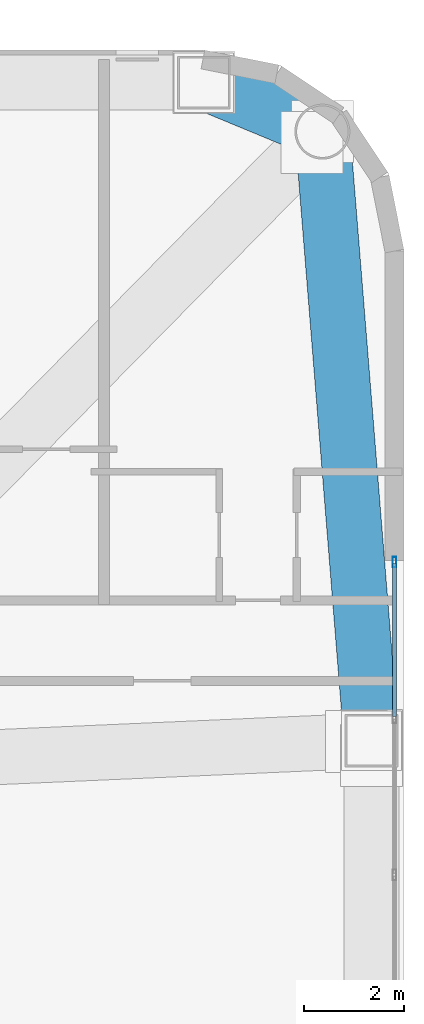
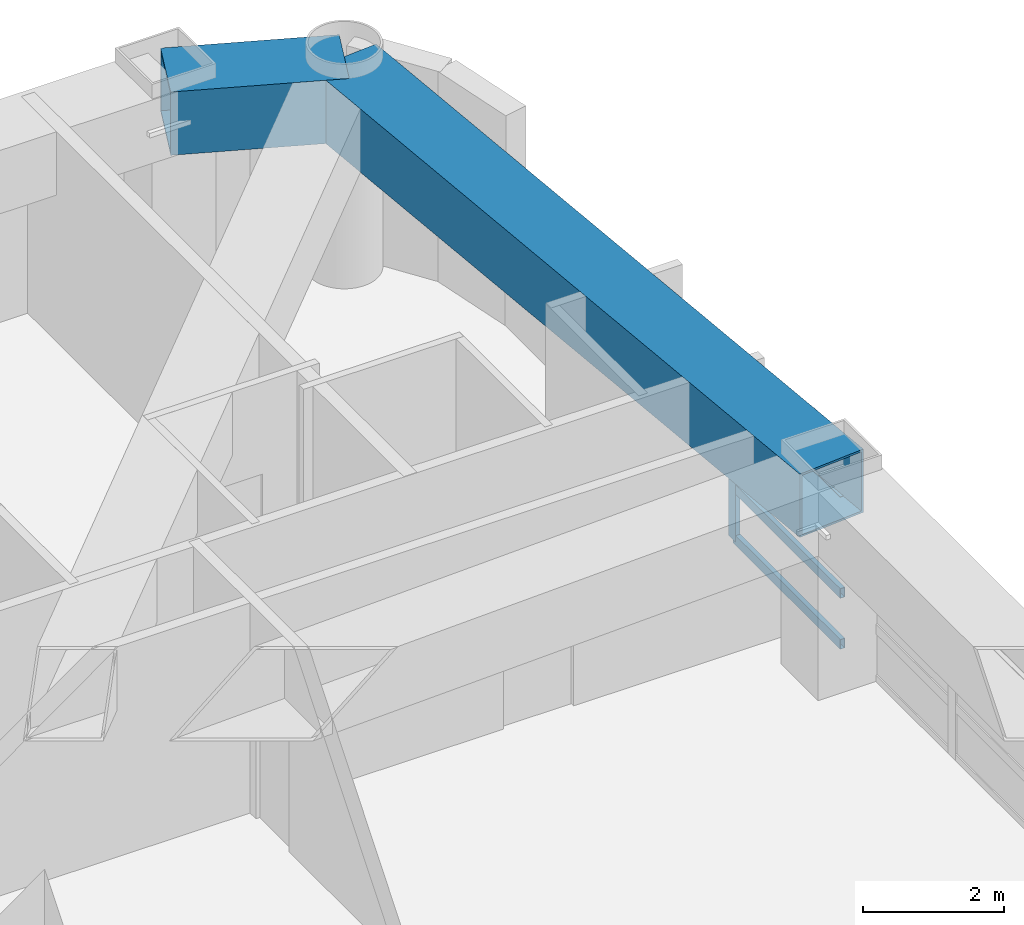
# One storey, part 4 of 18: 4 members, 2 beams, 1 element without a shape of its own.
"""IFC4 building model written with IfcOpenShell, lengths in metres."""

import ifcopenshell
import ifcopenshell.guid

model = None  # the IFC model being written
_history = None  # IfcOwnerHistory: only IFC2X3 demands one
_inside = {}  # id of a spatial element -> (the spatial element, [elements in it])
_under = {}  # id of a project, library or spatial element -> (it, [spatial elements below it])
_declared = {}  # id of a project -> (the project, [libraries it declares])
_typed = {}  # id of a type object -> (the type object, [elements of that type])
_made_of = {}  # id of a material, layer set ... -> (it, [elements and type objects made of it])


def new_model(schema):
    """Start an empty IFC model of exactly this schema.

    Asked for "IFC4X3", IfcOpenShell would pick the latest addendum, in which some entities
    have other attributes; the version numbers below select the first issue.
    IFC2X3 requires an IfcOwnerHistory on every rooted entity: one is made here for all.
    """
    global model, _history
    if schema == "IFC4X3":
        model = ifcopenshell.file(schema_version=(4, 3, 0, 0))
    else:
        model = ifcopenshell.file(schema=schema)
    _inside.clear()
    _under.clear()
    _declared.clear()
    _typed.clear()
    _made_of.clear()
    _history = None
    if model.schema == "IFC2X3":
        org = make("IfcOrganization", Name="unknown")
        user = make(
            "IfcPersonAndOrganization",
            ThePerson=make("IfcPerson", FamilyName="unknown"),
            TheOrganization=org,
        )
        app = make(
            "IfcApplication",
            ApplicationDeveloper=org,
            Version="unknown",
            ApplicationFullName="unknown",
            ApplicationIdentifier="unknown",
        )
        _history = make(
            "IfcOwnerHistory",
            OwningUser=user,
            OwningApplication=app,
            ChangeAction="ADDED",
            CreationDate=0,
        )
    return model


def make(cls, **values):
    """One entity of the class cls with the attributes given. An attribute that is None is left unset."""
    return model.create_entity(
        cls, **{name: value for name, value in values.items() if value is not None}
    )


def rooted(cls, **values):
    """An entity with a GlobalId (a new one), such as an element, a storey or a relation."""
    return make(cls, GlobalId=ifcopenshell.guid.new(), OwnerHistory=_history, **values)


def si_unit(unit_type, name, prefix=None):
    """IfcSIUnit, for example si_unit("LENGTHUNIT", "METRE", prefix="MILLI")."""
    return make("IfcSIUnit", UnitType=unit_type, Prefix=prefix, Name=name)


def assignment(units):
    """IfcUnitAssignment: the units of a project."""
    return None if units is None else make("IfcUnitAssignment", Units=units)


def point(xyz):
    """IfcCartesianPoint."""
    return None if xyz is None else make("IfcCartesianPoint", Coordinates=xyz)


def direction(xyz):
    """IfcDirection."""
    return None if xyz is None else make("IfcDirection", DirectionRatios=xyz)


def frame(location, z_axis=None, x_axis=None):
    """IfcAxis2Placement3D, a coordinate frame: its origin and axes. An axis left out is left unset."""
    return make(
        "IfcAxis2Placement3D",
        Location=point(location),
        Axis=direction(z_axis),
        RefDirection=direction(x_axis),
    )


def frame_2d(location, x_axis=None):
    """IfcAxis2Placement2D, a coordinate frame in the plane: its origin and x axis."""
    return make(
        "IfcAxis2Placement2D", Location=point(location), RefDirection=direction(x_axis)
    )


def origin():
    """The frame at (0, 0, 0) with its axes left unset."""
    return frame((0.0, 0.0, 0.0))


def origin_2d():
    """The frame at (0, 0) in the plane with its x axis left unset."""
    return frame_2d((0.0, 0.0))


def place(relative_to, where):
    """IfcLocalPlacement: puts the frame where relative to a parent placement (None: the world)."""
    return make(
        "IfcLocalPlacement", PlacementRelTo=relative_to, RelativePlacement=where
    )


def context(
    kind, dimensions, precision=None, world=None, true_north=None, identifier=None
):
    """IfcGeometricRepresentationContext, for example the 3D "Model" context."""
    return make(
        "IfcGeometricRepresentationContext",
        ContextIdentifier=identifier,
        ContextType=kind,
        CoordinateSpaceDimension=dimensions,
        Precision=precision,
        WorldCoordinateSystem=world,
        TrueNorth=true_north,
    )


def subcontext(parent, identifier, kind, view, scale=None):
    """IfcGeometricRepresentationSubContext, for example "Body" below "Model"."""
    return make(
        "IfcGeometricRepresentationSubContext",
        ContextIdentifier=identifier,
        ContextType=kind,
        ParentContext=parent,
        TargetScale=scale,
        TargetView=view,
    )


def project(units=None, contexts=None):
    """IfcProject with its units and contexts."""
    return rooted(
        "IfcProject",
        Name="project",
        RepresentationContexts=contexts,
        UnitsInContext=assignment(units),
    )


def spatial(cls, under=None, at=None, **own):
    """A site, building, storey or space (cls), placed at a placement, below another one or the project."""
    s = rooted(cls, ObjectPlacement=at, **own)
    if under is not None:
        _under.setdefault(under.id(), (under, []))[1].append(s)
    return s


def profile(cls, at=None, kind="AREA", **sizes):
    """A parametric profile (cls). Its sizes go by their IFC names, for example OverallWidth=200.0."""
    return make(cls, ProfileType=kind, Position=at, **sizes)


def hollow_rectangle(**sizes):
    """IfcRectangleHollowProfileDef."""
    return profile("IfcRectangleHollowProfileDef", **sizes)


def extrude(swept, where, along, depth):
    """IfcExtrudedAreaSolid: the profile swept, set in the frame where, extruded along a direction by depth."""
    return make(
        "IfcExtrudedAreaSolid",
        SweptArea=swept,
        Position=where,
        ExtrudedDirection=direction(along),
        Depth=depth,
    )


def shape(context_of_items, identifier, shape_type, items):
    """IfcShapeRepresentation: the items that make up one representation, for example the "Body"."""
    return make(
        "IfcShapeRepresentation",
        ContextOfItems=context_of_items,
        RepresentationIdentifier=identifier,
        RepresentationType=shape_type,
        Items=items,
    )


def material(Name=None, Category=None):
    """IfcMaterial."""
    return make("IfcMaterial", Name=Name, Category=Category)


def layer(
    of_material, thickness, ventilated=None, Name=None, Category=None, Priority=None
):
    """IfcMaterialLayer: one layer of a wall or slab, of a material (None: an air gap)."""
    return make(
        "IfcMaterialLayer",
        Material=of_material,
        LayerThickness=thickness,
        IsVentilated=ventilated,
        Name=Name,
        Category=Category,
        Priority=Priority,
    )


def layer_set(layers, Name=None):
    """IfcMaterialLayerSet."""
    return make("IfcMaterialLayerSet", MaterialLayers=layers, LayerSetName=Name)


def material_profile(
    of_material, cross_section, Name=None, Category=None, Priority=None
):
    """IfcMaterialProfile: a cross section and its material."""
    return make(
        "IfcMaterialProfile",
        Name=Name,
        Material=of_material,
        Profile=cross_section,
        Priority=Priority,
        Category=Category,
    )


def profile_set(profiles, Name=None, composite=None):
    """IfcMaterialProfileSet."""
    return make(
        "IfcMaterialProfileSet",
        Name=Name,
        MaterialProfiles=profiles,
        CompositeProfile=composite,
    )


def made_of(thing, what):
    """Note that an element or type object is made of a material, layer set ...; save() writes the relation."""
    if what is not None:
        _made_of.setdefault(what.id(), (what, []))[1].append(thing)
    return thing


def type_object(cls, material=None, **own):
    """A type object (cls), such as IfcWallType, which elements share."""
    return made_of(rooted(cls, **own), material)


def element(
    cls,
    number,
    at=None,
    inside=None,
    cuts=None,
    type_object=None,
    material=None,
    context=None,
    identifier="Body",
    shape_type=None,
    held_by="IfcProductDefinitionShape",
    body=None,
    shapes=None,
    **own,
):
    """One element of the class cls, such as IfcWall. Its Tag is "e" and its number.

    at: its placement. inside: the storey or other place that contains it. cuts: it is an
    opening in that element (IfcRelVoidsElement). A single representation is given by context,
    identifier, shape_type and body (its items); several are given by shapes. held_by: the class
    of the entity that holds the representations. save() writes the other relations.
    """
    e = rooted(cls, Tag="e%d" % number, ObjectPlacement=at, **own)
    if body is not None:
        shapes = [shape(context, identifier, shape_type, body)]
    if shapes is not None:
        e.Representation = make(held_by, Representations=shapes)
    if inside is not None:
        _inside.setdefault(inside.id(), (inside, []))[1].append(e)
    if cuts is not None:
        rooted(
            "IfcRelVoidsElement", RelatingBuildingElement=cuts, RelatedOpeningElement=e
        )
    if type_object is not None:
        _typed.setdefault(type_object.id(), (type_object, []))[1].append(e)
    return made_of(e, material)


def aggregate(whole, parts):
    """IfcRelAggregates: a whole, such as a stair, and the parts it consists of."""
    return rooted("IfcRelAggregates", RelatingObject=whole, RelatedObjects=parts)


def save(model, path):
    """Write the relations noted so far, then the file.

    IfcRelAggregates (storeys below a building ...), IfcRelContainedInSpatialStructure (elements
    in a storey), IfcRelDefinesByType, IfcRelAssociatesMaterial and IfcRelDeclares: one each for
    every whole, place, type object, material and project.
    """
    for whole, parts in _under.values():
        aggregate(whole, parts)
    for where, things in _inside.values():
        rooted(
            "IfcRelContainedInSpatialStructure",
            RelatedElements=things,
            RelatingStructure=where,
        )
    for kind, things in _typed.values():
        rooted("IfcRelDefinesByType", RelatedObjects=things, RelatingType=kind)
    for what, things in _made_of.values():
        rooted("IfcRelAssociatesMaterial", RelatedObjects=things, RelatingMaterial=what)
    for by, libraries in _declared.values():
        rooted("IfcRelDeclares", RelatingContext=by, RelatedDefinitions=libraries)
    model.write(path)


model = new_model("IFC4")

# Units and contexts
model_context = context("Model", 3, precision=1e-05, world=origin(), true_north=direction((0.0, 1.0)))
body_context = subcontext(model_context, "Body", "Model", "MODEL_VIEW")
ifc_project = project(units=[si_unit("LENGTHUNIT", "METRE"), si_unit("AREAUNIT", "SQUARE_METRE"), si_unit("VOLUMEUNIT", "CUBIC_METRE"), si_unit("PLANEANGLEUNIT", "RADIAN"), si_unit("MASSUNIT", "GRAM", prefix="KILO")], contexts=[model_context])

# Site, building, storey
site_placement = place(None, origin())
site = spatial("IfcSite", under=ifc_project, at=site_placement, CompositionType="ELEMENT")
building_placement = place(site_placement, origin())
building = spatial("IfcBuilding", under=site, at=building_placement, Name="Voryun Gate Residences", CompositionType="ELEMENT")
storey_placement = place(building_placement, frame((0.0, 0.0, 85.800048828125)))
storey = spatial("IfcBuildingStorey", under=building, at=storey_placement, Name="L20", CompositionType="ELEMENT", Elevation=85.800048828125)

# Beams
ifc_material_1 = material(Name="Steel SM420", Category="steel")
ifc_material_profile_1 = material_profile(ifc_material_1, hollow_rectangle(XDim=1.10009765625, YDim=1.10009765625, WallThickness=0.035888671875, at=origin_2d()), Name="BOX-1100x1100x36")
ifc_profile_set_1 = profile_set([ifc_material_profile_1], Name="Steel SM420")
beam_type = type_object("IfcBeamType", Name="BM_ARCH_RIB", PredefinedType="USERDEFINED", material=ifc_profile_set_1)
beam_1_placement = place(storey_placement, frame((32.75, 7.998046875, 3.099853515625), z_axis=(-0.080359517973, 0.996765944378, 0.0), x_axis=(-0.996765944378, -0.080359517973, 0.0)))
element("IfcBeam", 1, at=beam_1_placement, inside=storey, type_object=beam_type, Name="BM-L20-SPAND-09", ObjectType="GIRDER", PredefinedType="USERDEFINED", context=body_context, shape_type="SweptSolid", body=[
    extrude(hollow_rectangle(XDim=1.10009765625, YDim=1.10009765625, WallThickness=0.035888671875, at=origin_2d()), origin(), (0.0, 0.0, 1.0), 12.210205078125),
])
beam_2_placement = place(storey_placement, frame((31.768798828125, 20.168701171875, 3.099853515625), z_axis=(-0.923883376753, 0.382674151414, 0.0), x_axis=(-0.382674151414, -0.923883376753, 0.0)))
element("IfcBeam", 2, at=beam_2_placement, inside=storey, type_object=beam_type, Name="BM-L20-SPAND-10", ObjectType="GIRDER", PredefinedType="USERDEFINED", context=body_context, shape_type="SweptSolid", body=[
    extrude(hollow_rectangle(XDim=1.10009765625, YDim=1.10009765625, WallThickness=0.035888671875, at=origin_2d()), origin(), (0.0, 0.0, 1.0), 2.56396484375),
])

# Curtain wall, members
ifc_material_2 = material(Name="Anodised aluminium", Category="aluminium")
ifc_layer = layer(ifc_material_2, 0.2099609375, Name="CW_SYS_SKYGARDEN_DARK_GLASS")
ifc_layer_set = layer_set([ifc_layer], Name="Anodised aluminium")
curtain_wall_type = type_object("IfcCurtainWallType", Name="CW_SYS_SKYGARDEN_DARK_GLASS", PredefinedType="NOTDEFINED", material=ifc_layer_set)
curtain_wall_placement = place(storey_placement, origin())
curtain_wall = element("IfcCurtainWall", 3, at=curtain_wall_placement, inside=storey, type_object=curtain_wall_type, Name="Curtain wall CW5-L20-SG-16", PredefinedType="NOTDEFINED")
ifc_material_3 = material(Name="Anodised aluminium", Category="aluminium")
ifc_material_profile_2 = material_profile(ifc_material_3, hollow_rectangle(XDim=0.074951171875, YDim=0.2099609375, WallThickness=0.0048828125, at=origin_2d()), Name="ALU-MULL-210x75x5")
ifc_profile_set_2 = profile_set([ifc_material_profile_2], Name="Anodised aluminium")
member_type_1 = type_object("IfcMemberType", Name="CW_MULL_SKY", PredefinedType="MULLION", material=ifc_profile_set_2)
member_1_placement = place(storey_placement, frame((33.2099609375, 11.56591796875, 0.0), z_axis=(0.0, 0.0, 1.0), x_axis=(1.0, 0.0, 0.0)))
member_1 = element("IfcMember", 4, at=member_1_placement, type_object=member_type_1, Name="CW5 mullion 1", PredefinedType="MULLION", context=body_context, shape_type="SweptSolid", body=[
    extrude(hollow_rectangle(XDim=0.074951171875, YDim=0.2099609375, WallThickness=0.0048828125, at=origin_2d()), origin(), (0.0, 0.0, 1.0), 2.5400390625),
])
ifc_material_4 = material(Name="Anodised aluminium", Category="aluminium")
ifc_material_profile_3 = material_profile(ifc_material_4, hollow_rectangle(XDim=0.074951171875, YDim=0.169921875, WallThickness=0.0048828125, at=origin_2d()), Name="ALU-TRAN-170x75x5")
ifc_profile_set_3 = profile_set([ifc_material_profile_3], Name="Anodised aluminium")
member_type_2 = type_object("IfcMemberType", Name="CW_TRAN_SKY", PredefinedType="USERDEFINED", material=ifc_profile_set_3)
member_2_placement = place(storey_placement, frame((33.2099609375, 11.535888671875, 0.030029296875), z_axis=(0.0, -1.0, 0.0), x_axis=(1.0, 0.0, 0.0)))
member_2 = element("IfcMember", 5, at=member_2_placement, type_object=member_type_2, Name="CW5 transom 1.1", ObjectType="TRANSOM", PredefinedType="USERDEFINED", context=body_context, shape_type="SweptSolid", body=[
    extrude(hollow_rectangle(XDim=0.074951171875, YDim=0.169921875, WallThickness=0.0048828125, at=origin_2d()), origin(), (0.0, 0.0, 1.0), 3.051513671875),
])
member_3_placement = place(storey_placement, frame((33.2099609375, 11.535888671875, 0.914306640625), z_axis=(0.0, -1.0, 0.0), x_axis=(1.0, 0.0, 0.0)))
member_3 = element("IfcMember", 6, at=member_3_placement, type_object=member_type_2, Name="CW5 transom 1.2", ObjectType="TRANSOM", PredefinedType="USERDEFINED", context=body_context, shape_type="SweptSolid", body=[
    extrude(hollow_rectangle(XDim=0.074951171875, YDim=0.169921875, WallThickness=0.0048828125, at=origin_2d()), origin(), (0.0, 0.0, 1.0), 3.051513671875),
])
member_4_placement = place(storey_placement, frame((33.2099609375, 11.535888671875, 2.510009765625), z_axis=(0.0, -1.0, 0.0), x_axis=(1.0, 0.0, 0.0)))
member_4 = element("IfcMember", 7, at=member_4_placement, type_object=member_type_2, Name="CW5 transom 1.3", ObjectType="TRANSOM", PredefinedType="USERDEFINED", context=body_context, shape_type="SweptSolid", body=[
    extrude(hollow_rectangle(XDim=0.074951171875, YDim=0.169921875, WallThickness=0.0048828125, at=origin_2d()), origin(), (0.0, 0.0, 1.0), 3.051513671875),
])
aggregate(curtain_wall, [member_1, member_2, member_3, member_4])

save(model, "model.ifc")
